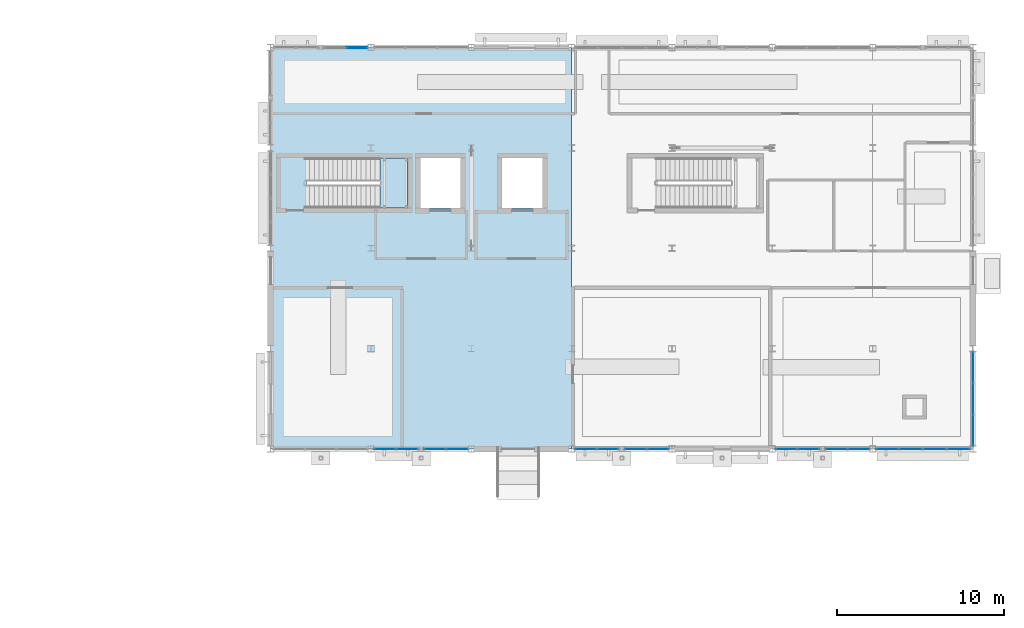
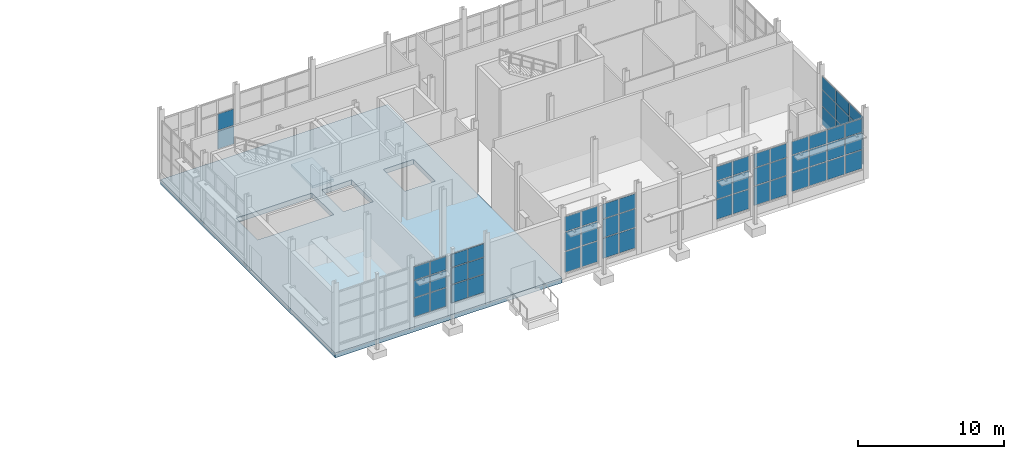
# One storey, part 75 of 120: 59 plates, 2 slabs, 10 elements without a shape of their own.
"""IFC4 building model written with IfcOpenShell, lengths in metres."""

from ifc_helpers import new_model, si_unit, direction, frame, origin, origin_2d, place, context, subcontext, project, spatial, polyline, rectangle, outline, extrude, material, layer, layer_set, type_object, element, aggregate, save


model = new_model("IFC4")

# Units and contexts
model_context = context("Model", 3, precision=1e-05, world=origin(), true_north=direction((0.0, 1.0)))
body_context = subcontext(model_context, "Body", "Model", "MODEL_VIEW")
ifc_project = project(units=[si_unit("LENGTHUNIT", "METRE"), si_unit("AREAUNIT", "SQUARE_METRE"), si_unit("VOLUMEUNIT", "CUBIC_METRE"), si_unit("PLANEANGLEUNIT", "RADIAN"), si_unit("MASSUNIT", "GRAM", prefix="KILO")], contexts=[model_context])

# Site, building, storey
site_placement = place(None, origin())
site = spatial("IfcSite", under=ifc_project, at=site_placement, CompositionType="ELEMENT")
building_placement = place(site_placement, origin())
building = spatial("IfcBuilding", under=site, at=building_placement, Name="Siltcreek Boulevard Central Fire Station", CompositionType="ELEMENT")
storey_placement = place(building_placement, origin())
storey = spatial("IfcBuildingStorey", under=building, at=storey_placement, Name="L01", CompositionType="ELEMENT", Elevation=0.0)

# Curtain wall, plates
ifc_material_1 = material(Name="Anodized aluminum and low-E insulated glazing", Category="aluminium")
curtain_wall_type_1 = type_object("IfcCurtainWallType", Name="CW_SYS_13", PredefinedType="USERDEFINED", material=ifc_material_1)
curtain_wall_1_placement = place(storey_placement, origin())
curtain_wall_1 = element("IfcCurtainWall", 1, at=curtain_wall_1_placement, inside=storey, type_object=curtain_wall_type_1, Name="L01 V5 unitised curtain wall CW-102", ObjectType="CURTAIN WALL", PredefinedType="USERDEFINED")
ifc_material_2 = material(Name="Low-E double insulated glass unit", Category="glass")
ifc_layer_1 = layer(ifc_material_2, 0.028076171875, Name="Low-E double insulated glass unit")
ifc_layer_set_1 = layer_set([ifc_layer_1], Name="Low-E double insulated glass unit")
plate_type_1 = type_object("IfcPlateType", Name="CWP_GLZ_1", PredefinedType="CURTAIN_PANEL", material=ifc_layer_set_1)
plate_1_placement = place(storey_placement, frame((143.0400390625, 88.199951171875, 0.384765625), z_axis=(0.0, 0.0, 1.0), x_axis=(1.0, 0.0, 0.0)))
plate_1 = element("IfcPlate", 2, at=plate_1_placement, type_object=plate_type_1, Name="CW-102 panel 1.1", PredefinedType="CURTAIN_PANEL", context=body_context, shape_type="SweptSolid", body=[
    extrude(rectangle(XDim=1.260009765625, YDim=0.028076171875, at=origin_2d()), origin(), (0.0, 0.0, 1.0), 1.723876953125),
])
plate_2_placement = place(storey_placement, frame((143.0400390625, 88.199951171875, 2.173828125), z_axis=(0.0, 0.0, 1.0), x_axis=(1.0, 0.0, 0.0)))
plate_2 = element("IfcPlate", 3, at=plate_2_placement, type_object=plate_type_1, Name="CW-102 panel 1.2", PredefinedType="CURTAIN_PANEL", context=body_context, shape_type="SweptSolid", body=[
    extrude(rectangle(XDim=1.260009765625, YDim=0.028076171875, at=origin_2d()), origin(), (0.0, 0.0, 1.0), 1.564697265625),
])
plate_3_placement = place(storey_placement, frame((143.0400390625, 88.199951171875, 3.8037109375), z_axis=(0.0, 0.0, 1.0), x_axis=(1.0, 0.0, 0.0)))
plate_3 = element("IfcPlate", 4, at=plate_3_placement, type_object=plate_type_1, Name="CW-102 panel 1.3", PredefinedType="CURTAIN_PANEL", context=body_context, shape_type="SweptSolid", body=[
    extrude(rectangle(XDim=1.260009765625, YDim=0.028076171875, at=origin_2d()), origin(), (0.0, 0.0, 1.0), 1.244384765625),
])
plate_4_placement = place(storey_placement, frame((144.364990234375, 88.199951171875, 0.384765625), z_axis=(0.0, 0.0, 1.0), x_axis=(1.0, 0.0, 0.0)))
plate_4 = element("IfcPlate", 5, at=plate_4_placement, type_object=plate_type_1, Name="CW-102 panel 2.1", PredefinedType="CURTAIN_PANEL", context=body_context, shape_type="SweptSolid", body=[
    extrude(rectangle(XDim=1.260009765625, YDim=0.028076171875, at=origin_2d()), origin(), (0.0, 0.0, 1.0), 1.723876953125),
])
plate_5_placement = place(storey_placement, frame((144.364990234375, 88.199951171875, 2.173828125), z_axis=(0.0, 0.0, 1.0), x_axis=(1.0, 0.0, 0.0)))
plate_5 = element("IfcPlate", 6, at=plate_5_placement, type_object=plate_type_1, Name="CW-102 panel 2.2", PredefinedType="CURTAIN_PANEL", context=body_context, shape_type="SweptSolid", body=[
    extrude(rectangle(XDim=1.260009765625, YDim=0.028076171875, at=origin_2d()), origin(), (0.0, 0.0, 1.0), 1.564697265625),
])
plate_6_placement = place(storey_placement, frame((144.364990234375, 88.199951171875, 3.8037109375), z_axis=(0.0, 0.0, 1.0), x_axis=(1.0, 0.0, 0.0)))
plate_6 = element("IfcPlate", 7, at=plate_6_placement, type_object=plate_type_1, Name="CW-102 panel 2.3", PredefinedType="CURTAIN_PANEL", context=body_context, shape_type="SweptSolid", body=[
    extrude(rectangle(XDim=1.260009765625, YDim=0.028076171875, at=origin_2d()), origin(), (0.0, 0.0, 1.0), 1.244384765625),
])
aggregate(curtain_wall_1, [plate_1, plate_2, plate_3, plate_4, plate_5, plate_6])

curtain_wall_type_2 = type_object("IfcCurtainWallType", Name="CW_SYS_16", PredefinedType="USERDEFINED", material=ifc_material_1)
curtain_wall_2_placement = place(storey_placement, origin())
curtain_wall_2 = element("IfcCurtainWall", 8, at=curtain_wall_2_placement, inside=storey, type_object=curtain_wall_type_2, Name="L01 V5 unitised curtain wall CW-105", ObjectType="CURTAIN WALL", PredefinedType="USERDEFINED")
plate_7_placement = place(storey_placement, frame((158.03369140625, 88.199951171875, 0.740234375), z_axis=(0.0, 0.0, 1.0), x_axis=(1.0, 0.0, 0.0)))
plate_7 = element("IfcPlate", 9, at=plate_7_placement, type_object=plate_type_1, Name="CW-105 panel 1.1", PredefinedType="CURTAIN_PANEL", context=body_context, shape_type="SweptSolid", body=[
    extrude(rectangle(XDim=1.267578125, YDim=0.028076171875, at=origin_2d()), origin(), (0.0, 0.0, 1.0), 1.594482421875),
])
plate_8_placement = place(storey_placement, frame((158.03369140625, 88.199951171875, 2.39453125), z_axis=(0.0, 0.0, 1.0), x_axis=(1.0, 0.0, 0.0)))
plate_8 = element("IfcPlate", 10, at=plate_8_placement, type_object=plate_type_1, Name="CW-105 panel 1.2", PredefinedType="CURTAIN_PANEL", context=body_context, shape_type="SweptSolid", body=[
    extrude(rectangle(XDim=1.267578125, YDim=0.028076171875, at=origin_2d()), origin(), (0.0, 0.0, 1.0), 1.447265625),
])
plate_9_placement = place(storey_placement, frame((158.03369140625, 88.199951171875, 3.90185546875), z_axis=(0.0, 0.0, 1.0), x_axis=(1.0, 0.0, 0.0)))
plate_9 = element("IfcPlate", 11, at=plate_9_placement, type_object=plate_type_1, Name="CW-105 panel 1.3", PredefinedType="CURTAIN_PANEL", context=body_context, shape_type="SweptSolid", body=[
    extrude(rectangle(XDim=1.267578125, YDim=0.028076171875, at=origin_2d()), origin(), (0.0, 0.0, 1.0), 1.151123046875),
])
plate_10_placement = place(storey_placement, frame((159.361328125, 88.199951171875, 0.740234375), z_axis=(0.0, 0.0, 1.0), x_axis=(1.0, 0.0, 0.0)))
plate_10 = element("IfcPlate", 12, at=plate_10_placement, type_object=plate_type_1, Name="CW-105 panel 2.1", PredefinedType="CURTAIN_PANEL", context=body_context, shape_type="SweptSolid", body=[
    extrude(rectangle(XDim=1.267578125, YDim=0.028076171875, at=origin_2d()), origin(), (0.0, 0.0, 1.0), 1.594482421875),
])
plate_11_placement = place(storey_placement, frame((159.361328125, 88.199951171875, 2.39453125), z_axis=(0.0, 0.0, 1.0), x_axis=(1.0, 0.0, 0.0)))
plate_11 = element("IfcPlate", 13, at=plate_11_placement, type_object=plate_type_1, Name="CW-105 panel 2.2", PredefinedType="CURTAIN_PANEL", context=body_context, shape_type="SweptSolid", body=[
    extrude(rectangle(XDim=1.267578125, YDim=0.028076171875, at=origin_2d()), origin(), (0.0, 0.0, 1.0), 1.447265625),
])
plate_12_placement = place(storey_placement, frame((159.361328125, 88.199951171875, 3.90185546875), z_axis=(0.0, 0.0, 1.0), x_axis=(1.0, 0.0, 0.0)))
plate_12 = element("IfcPlate", 14, at=plate_12_placement, type_object=plate_type_1, Name="CW-105 panel 2.3", PredefinedType="CURTAIN_PANEL", context=body_context, shape_type="SweptSolid", body=[
    extrude(rectangle(XDim=1.267578125, YDim=0.028076171875, at=origin_2d()), origin(), (0.0, 0.0, 1.0), 1.151123046875),
])
aggregate(curtain_wall_2, [plate_7, plate_8, plate_9, plate_10, plate_11, plate_12])

curtain_wall_type_3 = type_object("IfcCurtainWallType", Name="CW_SYS_11", PredefinedType="USERDEFINED", material=ifc_material_1)
curtain_wall_3_placement = place(storey_placement, origin())
curtain_wall_3 = element("IfcCurtainWall", 15, at=curtain_wall_3_placement, inside=storey, type_object=curtain_wall_type_3, Name="L01 V5 unitised curtain wall CW-100", ObjectType="CURTAIN WALL", PredefinedType="USERDEFINED")
ifc_layer_2 = layer(ifc_material_2, 0.0380859375, Name="Low-E double insulated glass unit")
ifc_layer_set_2 = layer_set([ifc_layer_2], Name="Low-E double insulated glass unit")
plate_type_2 = type_object("IfcPlateType", Name="CWP_GLZ_2", PredefinedType="CURTAIN_PANEL", material=ifc_layer_set_2)
plate_13_placement = place(storey_placement, frame((131.0400390625, 88.199951171875, 0.864990234375), z_axis=(0.0, 0.0, 1.0), x_axis=(1.0, 0.0, 0.0)))
plate_13 = element("IfcPlate", 16, at=plate_13_placement, type_object=plate_type_2, Name="CW-100 panel 1.1", PredefinedType="CURTAIN_PANEL", context=body_context, shape_type="SweptSolid", body=[
    extrude(rectangle(XDim=1.260009765625, YDim=0.0380859375, at=origin_2d()), origin(), (0.0, 0.0, 1.0), 1.54150390625),
])
plate_14_placement = place(storey_placement, frame((131.0400390625, 88.199951171875, 2.47119140625), z_axis=(0.0, 0.0, 1.0), x_axis=(1.0, 0.0, 0.0)))
plate_14 = element("IfcPlate", 17, at=plate_14_placement, type_object=plate_type_2, Name="CW-100 panel 1.2", PredefinedType="CURTAIN_PANEL", context=body_context, shape_type="SweptSolid", body=[
    extrude(rectangle(XDim=1.260009765625, YDim=0.0380859375, at=origin_2d()), origin(), (0.0, 0.0, 1.0), 1.401611328125),
])
plate_15_placement = place(storey_placement, frame((131.0400390625, 88.199951171875, 3.93798828125), z_axis=(0.0, 0.0, 1.0), x_axis=(1.0, 0.0, 0.0)))
plate_15 = element("IfcPlate", 18, at=plate_15_placement, type_object=plate_type_2, Name="CW-100 panel 1.3", PredefinedType="CURTAIN_PANEL", context=body_context, shape_type="SweptSolid", body=[
    extrude(rectangle(XDim=1.260009765625, YDim=0.0380859375, at=origin_2d()), origin(), (0.0, 0.0, 1.0), 1.110107421875),
])
plate_16_placement = place(storey_placement, frame((132.364990234375, 88.199951171875, 0.864990234375), z_axis=(0.0, 0.0, 1.0), x_axis=(1.0, 0.0, 0.0)))
plate_16 = element("IfcPlate", 19, at=plate_16_placement, type_object=plate_type_2, Name="CW-100 panel 2.1", PredefinedType="CURTAIN_PANEL", context=body_context, shape_type="SweptSolid", body=[
    extrude(rectangle(XDim=1.260009765625, YDim=0.0380859375, at=origin_2d()), origin(), (0.0, 0.0, 1.0), 1.54150390625),
])
plate_17_placement = place(storey_placement, frame((132.364990234375, 88.199951171875, 2.47119140625), z_axis=(0.0, 0.0, 1.0), x_axis=(1.0, 0.0, 0.0)))
plate_17 = element("IfcPlate", 20, at=plate_17_placement, type_object=plate_type_2, Name="CW-100 panel 2.2", PredefinedType="CURTAIN_PANEL", context=body_context, shape_type="SweptSolid", body=[
    extrude(rectangle(XDim=1.260009765625, YDim=0.0380859375, at=origin_2d()), origin(), (0.0, 0.0, 1.0), 1.401611328125),
])
plate_18_placement = place(storey_placement, frame((132.364990234375, 88.199951171875, 3.93798828125), z_axis=(0.0, 0.0, 1.0), x_axis=(1.0, 0.0, 0.0)))
plate_18 = element("IfcPlate", 21, at=plate_18_placement, type_object=plate_type_2, Name="CW-100 panel 2.3", PredefinedType="CURTAIN_PANEL", context=body_context, shape_type="SweptSolid", body=[
    extrude(rectangle(XDim=1.260009765625, YDim=0.0380859375, at=origin_2d()), origin(), (0.0, 0.0, 1.0), 1.110107421875),
])
aggregate(curtain_wall_3, [plate_13, plate_14, plate_15, plate_16, plate_17, plate_18])

curtain_wall_type_4 = type_object("IfcCurtainWallType", Name="CW_SYS_14", PredefinedType="USERDEFINED", material=ifc_material_1)
curtain_wall_4_placement = place(storey_placement, origin())
curtain_wall_4 = element("IfcCurtainWall", 22, at=curtain_wall_4_placement, inside=storey, type_object=curtain_wall_type_4, Name="L01 V5 unitised curtain wall CW-103", ObjectType="CURTAIN WALL", PredefinedType="USERDEFINED")
plate_19_placement = place(storey_placement, frame((146.03369140625, 88.199951171875, 0.5), z_axis=(0.0, 0.0, 1.0), x_axis=(1.0, 0.0, 0.0)))
plate_19 = element("IfcPlate", 23, at=plate_19_placement, type_object=plate_type_2, Name="CW-103 panel 1.1", PredefinedType="CURTAIN_PANEL", context=body_context, shape_type="SweptSolid", body=[
    extrude(rectangle(XDim=1.267578125, YDim=0.0380859375, at=origin_2d()), origin(), (0.0, 0.0, 1.0), 1.685791015625),
])
plate_20_placement = place(storey_placement, frame((146.03369140625, 88.199951171875, 2.245849609375), z_axis=(0.0, 0.0, 1.0), x_axis=(1.0, 0.0, 0.0)))
plate_20 = element("IfcPlate", 24, at=plate_20_placement, type_object=plate_type_2, Name="CW-103 panel 1.2", PredefinedType="CURTAIN_PANEL", context=body_context, shape_type="SweptSolid", body=[
    extrude(rectangle(XDim=1.267578125, YDim=0.0380859375, at=origin_2d()), origin(), (0.0, 0.0, 1.0), 1.52880859375),
])
plate_21_placement = place(storey_placement, frame((146.03369140625, 88.199951171875, 3.83447265625), z_axis=(0.0, 0.0, 1.0), x_axis=(1.0, 0.0, 0.0)))
plate_21 = element("IfcPlate", 25, at=plate_21_placement, type_object=plate_type_2, Name="CW-103 panel 1.3", PredefinedType="CURTAIN_PANEL", context=body_context, shape_type="SweptSolid", body=[
    extrude(rectangle(XDim=1.267578125, YDim=0.0380859375, at=origin_2d()), origin(), (0.0, 0.0, 1.0), 1.218505859375),
])
plate_22_placement = place(storey_placement, frame((147.361328125, 88.199951171875, 0.5), z_axis=(0.0, 0.0, 1.0), x_axis=(1.0, 0.0, 0.0)))
plate_22 = element("IfcPlate", 26, at=plate_22_placement, type_object=plate_type_2, Name="CW-103 panel 2.1", PredefinedType="CURTAIN_PANEL", context=body_context, shape_type="SweptSolid", body=[
    extrude(rectangle(XDim=1.267578125, YDim=0.0380859375, at=origin_2d()), origin(), (0.0, 0.0, 1.0), 1.685791015625),
])
plate_23_placement = place(storey_placement, frame((147.361328125, 88.199951171875, 2.245849609375), z_axis=(0.0, 0.0, 1.0), x_axis=(1.0, 0.0, 0.0)))
plate_23 = element("IfcPlate", 27, at=plate_23_placement, type_object=plate_type_2, Name="CW-103 panel 2.2", PredefinedType="CURTAIN_PANEL", context=body_context, shape_type="SweptSolid", body=[
    extrude(rectangle(XDim=1.267578125, YDim=0.0380859375, at=origin_2d()), origin(), (0.0, 0.0, 1.0), 1.52880859375),
])
plate_24_placement = place(storey_placement, frame((147.361328125, 88.199951171875, 3.83447265625), z_axis=(0.0, 0.0, 1.0), x_axis=(1.0, 0.0, 0.0)))
plate_24 = element("IfcPlate", 28, at=plate_24_placement, type_object=plate_type_2, Name="CW-103 panel 2.3", PredefinedType="CURTAIN_PANEL", context=body_context, shape_type="SweptSolid", body=[
    extrude(rectangle(XDim=1.267578125, YDim=0.0380859375, at=origin_2d()), origin(), (0.0, 0.0, 1.0), 1.218505859375),
])
aggregate(curtain_wall_4, [plate_19, plate_20, plate_21, plate_22, plate_23, plate_24])

curtain_wall_type_5 = type_object("IfcCurtainWallType", Name="CW_SYS_17", PredefinedType="USERDEFINED", material=ifc_material_1)
curtain_wall_5_placement = place(storey_placement, origin())
curtain_wall_5 = element("IfcCurtainWall", 29, at=curtain_wall_5_placement, inside=storey, type_object=curtain_wall_type_5, Name="L01 V5 unitised curtain wall CW-106", ObjectType="CURTAIN WALL", PredefinedType="USERDEFINED")
plate_25_placement = place(storey_placement, frame((161.074951171875, 88.199951171875, 0.864990234375), z_axis=(0.0, 0.0, 1.0), x_axis=(1.0, 0.0, 0.0)))
plate_25 = element("IfcPlate", 30, at=plate_25_placement, type_object=plate_type_2, Name="CW-106 panel 1.1", PredefinedType="CURTAIN_PANEL", context=body_context, shape_type="SweptSolid", body=[
    extrude(rectangle(XDim=1.330078125, YDim=0.0380859375, at=origin_2d()), origin(), (0.0, 0.0, 1.0), 1.54150390625),
])
plate_26_placement = place(storey_placement, frame((161.074951171875, 88.199951171875, 2.47119140625), z_axis=(0.0, 0.0, 1.0), x_axis=(1.0, 0.0, 0.0)))
plate_26 = element("IfcPlate", 31, at=plate_26_placement, type_object=plate_type_2, Name="CW-106 panel 1.2", PredefinedType="CURTAIN_PANEL", context=body_context, shape_type="SweptSolid", body=[
    extrude(rectangle(XDim=1.330078125, YDim=0.0380859375, at=origin_2d()), origin(), (0.0, 0.0, 1.0), 1.401611328125),
])
plate_27_placement = place(storey_placement, frame((161.074951171875, 88.199951171875, 3.93798828125), z_axis=(0.0, 0.0, 1.0), x_axis=(1.0, 0.0, 0.0)))
plate_27 = element("IfcPlate", 32, at=plate_27_placement, type_object=plate_type_2, Name="CW-106 panel 1.3", PredefinedType="CURTAIN_PANEL", context=body_context, shape_type="SweptSolid", body=[
    extrude(rectangle(XDim=1.330078125, YDim=0.0380859375, at=origin_2d()), origin(), (0.0, 0.0, 1.0), 1.110107421875),
])
plate_28_placement = place(storey_placement, frame((162.486328125, 88.199951171875, 0.864990234375), z_axis=(0.0, 0.0, 1.0), x_axis=(1.0, 0.0, 0.0)))
plate_28 = element("IfcPlate", 33, at=plate_28_placement, type_object=plate_type_2, Name="CW-106 panel 2.1", PredefinedType="CURTAIN_PANEL", context=body_context, shape_type="SweptSolid", body=[
    extrude(rectangle(XDim=1.362548828125, YDim=0.0380859375, at=origin_2d()), origin(), (0.0, 0.0, 1.0), 1.54150390625),
])
plate_29_placement = place(storey_placement, frame((162.486328125, 88.199951171875, 2.47119140625), z_axis=(0.0, 0.0, 1.0), x_axis=(1.0, 0.0, 0.0)))
plate_29 = element("IfcPlate", 34, at=plate_29_placement, type_object=plate_type_2, Name="CW-106 panel 2.2", PredefinedType="CURTAIN_PANEL", context=body_context, shape_type="SweptSolid", body=[
    extrude(rectangle(XDim=1.362548828125, YDim=0.0380859375, at=origin_2d()), origin(), (0.0, 0.0, 1.0), 1.401611328125),
])
plate_30_placement = place(storey_placement, frame((162.486328125, 88.199951171875, 3.93798828125), z_axis=(0.0, 0.0, 1.0), x_axis=(1.0, 0.0, 0.0)))
plate_30 = element("IfcPlate", 35, at=plate_30_placement, type_object=plate_type_2, Name="CW-106 panel 2.3", PredefinedType="CURTAIN_PANEL", context=body_context, shape_type="SweptSolid", body=[
    extrude(rectangle(XDim=1.362548828125, YDim=0.0380859375, at=origin_2d()), origin(), (0.0, 0.0, 1.0), 1.110107421875),
])
plate_31_placement = place(storey_placement, frame((163.913818359375, 88.199951171875, 0.864990234375), z_axis=(0.0, 0.0, 1.0), x_axis=(1.0, 0.0, 0.0)))
plate_31 = element("IfcPlate", 36, at=plate_31_placement, type_object=plate_type_2, Name="CW-106 panel 3.1", PredefinedType="CURTAIN_PANEL", context=body_context, shape_type="SweptSolid", body=[
    extrude(rectangle(XDim=1.362548828125, YDim=0.0380859375, at=origin_2d()), origin(), (0.0, 0.0, 1.0), 1.54150390625),
])
plate_32_placement = place(storey_placement, frame((163.913818359375, 88.199951171875, 2.47119140625), z_axis=(0.0, 0.0, 1.0), x_axis=(1.0, 0.0, 0.0)))
plate_32 = element("IfcPlate", 37, at=plate_32_placement, type_object=plate_type_2, Name="CW-106 panel 3.2", PredefinedType="CURTAIN_PANEL", context=body_context, shape_type="SweptSolid", body=[
    extrude(rectangle(XDim=1.362548828125, YDim=0.0380859375, at=origin_2d()), origin(), (0.0, 0.0, 1.0), 1.401611328125),
])
plate_33_placement = place(storey_placement, frame((163.913818359375, 88.199951171875, 3.93798828125), z_axis=(0.0, 0.0, 1.0), x_axis=(1.0, 0.0, 0.0)))
plate_33 = element("IfcPlate", 38, at=plate_33_placement, type_object=plate_type_2, Name="CW-106 panel 3.3", PredefinedType="CURTAIN_PANEL", context=body_context, shape_type="SweptSolid", body=[
    extrude(rectangle(XDim=1.362548828125, YDim=0.0380859375, at=origin_2d()), origin(), (0.0, 0.0, 1.0), 1.110107421875),
])
plate_34_placement = place(storey_placement, frame((165.324951171875, 88.199951171875, 0.864990234375), z_axis=(0.0, 0.0, 1.0), x_axis=(1.0, 0.0, 0.0)))
plate_34 = element("IfcPlate", 39, at=plate_34_placement, type_object=plate_type_2, Name="CW-106 panel 4.1", PredefinedType="CURTAIN_PANEL", context=body_context, shape_type="SweptSolid", body=[
    extrude(rectangle(XDim=1.330078125, YDim=0.0380859375, at=origin_2d()), origin(), (0.0, 0.0, 1.0), 1.54150390625),
])
plate_35_placement = place(storey_placement, frame((165.324951171875, 88.199951171875, 2.47119140625), z_axis=(0.0, 0.0, 1.0), x_axis=(1.0, 0.0, 0.0)))
plate_35 = element("IfcPlate", 40, at=plate_35_placement, type_object=plate_type_2, Name="CW-106 panel 4.2", PredefinedType="CURTAIN_PANEL", context=body_context, shape_type="SweptSolid", body=[
    extrude(rectangle(XDim=1.330078125, YDim=0.0380859375, at=origin_2d()), origin(), (0.0, 0.0, 1.0), 1.401611328125),
])
plate_36_placement = place(storey_placement, frame((165.324951171875, 88.199951171875, 3.93798828125), z_axis=(0.0, 0.0, 1.0), x_axis=(1.0, 0.0, 0.0)))
plate_36 = element("IfcPlate", 41, at=plate_36_placement, type_object=plate_type_2, Name="CW-106 panel 4.3", PredefinedType="CURTAIN_PANEL", context=body_context, shape_type="SweptSolid", body=[
    extrude(rectangle(XDim=1.330078125, YDim=0.0380859375, at=origin_2d()), origin(), (0.0, 0.0, 1.0), 1.110107421875),
])
aggregate(curtain_wall_5, [plate_25, plate_26, plate_27, plate_28, plate_29, plate_30, plate_31, plate_32, plate_33, plate_34, plate_35, plate_36])

curtain_wall_type_6 = type_object("IfcCurtainWallType", Name="CW_SYS_12", PredefinedType="USERDEFINED", material=ifc_material_1)
curtain_wall_6_placement = place(storey_placement, origin())
curtain_wall_6 = element("IfcCurtainWall", 42, at=curtain_wall_6_placement, inside=storey, type_object=curtain_wall_type_6, Name="L01 V5 unitised curtain wall CW-101", ObjectType="CURTAIN WALL", PredefinedType="USERDEFINED")
ifc_layer_3 = layer(ifc_material_2, 0.048095703125, Name="Low-E double insulated glass unit")
ifc_layer_set_3 = layer_set([ifc_layer_3], Name="Low-E double insulated glass unit")
plate_type_3 = type_object("IfcPlateType", Name="CWP_GLZ_3", PredefinedType="CURTAIN_PANEL", material=ifc_layer_set_3)
plate_37_placement = place(storey_placement, frame((134.03369140625, 88.199951171875, 0.97998046875), z_axis=(0.0, 0.0, 1.0), x_axis=(1.0, 0.0, 0.0)))
plate_37 = element("IfcPlate", 43, at=plate_37_placement, type_object=plate_type_3, Name="CW-101 panel 1.1", PredefinedType="CURTAIN_PANEL", context=body_context, shape_type="SweptSolid", body=[
    extrude(rectangle(XDim=1.267578125, YDim=0.048095703125, at=origin_2d()), origin(), (0.0, 0.0, 1.0), 1.50341796875),
])
plate_38_placement = place(storey_placement, frame((134.03369140625, 88.199951171875, 2.543212890625), z_axis=(0.0, 0.0, 1.0), x_axis=(1.0, 0.0, 0.0)))
plate_38 = element("IfcPlate", 44, at=plate_38_placement, type_object=plate_type_3, Name="CW-101 panel 1.2", PredefinedType="CURTAIN_PANEL", context=body_context, shape_type="SweptSolid", body=[
    extrude(rectangle(XDim=1.267578125, YDim=0.048095703125, at=origin_2d()), origin(), (0.0, 0.0, 1.0), 1.36572265625),
])
plate_39_placement = place(storey_placement, frame((134.03369140625, 88.199951171875, 3.968994140625), z_axis=(0.0, 0.0, 1.0), x_axis=(1.0, 0.0, 0.0)))
plate_39 = element("IfcPlate", 45, at=plate_39_placement, type_object=plate_type_3, Name="CW-101 panel 1.3", PredefinedType="CURTAIN_PANEL", context=body_context, shape_type="SweptSolid", body=[
    extrude(rectangle(XDim=1.267578125, YDim=0.048095703125, at=origin_2d()), origin(), (0.0, 0.0, 1.0), 1.083984375),
])
plate_40_placement = place(storey_placement, frame((135.361328125, 88.199951171875, 0.97998046875), z_axis=(0.0, 0.0, 1.0), x_axis=(1.0, 0.0, 0.0)))
plate_40 = element("IfcPlate", 46, at=plate_40_placement, type_object=plate_type_3, Name="CW-101 panel 2.1", PredefinedType="CURTAIN_PANEL", context=body_context, shape_type="SweptSolid", body=[
    extrude(rectangle(XDim=1.267578125, YDim=0.048095703125, at=origin_2d()), origin(), (0.0, 0.0, 1.0), 1.50341796875),
])
plate_41_placement = place(storey_placement, frame((135.361328125, 88.199951171875, 2.543212890625), z_axis=(0.0, 0.0, 1.0), x_axis=(1.0, 0.0, 0.0)))
plate_41 = element("IfcPlate", 47, at=plate_41_placement, type_object=plate_type_3, Name="CW-101 panel 2.2", PredefinedType="CURTAIN_PANEL", context=body_context, shape_type="SweptSolid", body=[
    extrude(rectangle(XDim=1.267578125, YDim=0.048095703125, at=origin_2d()), origin(), (0.0, 0.0, 1.0), 1.36572265625),
])
plate_42_placement = place(storey_placement, frame((135.361328125, 88.199951171875, 3.968994140625), z_axis=(0.0, 0.0, 1.0), x_axis=(1.0, 0.0, 0.0)))
plate_42 = element("IfcPlate", 48, at=plate_42_placement, type_object=plate_type_3, Name="CW-101 panel 2.3", PredefinedType="CURTAIN_PANEL", context=body_context, shape_type="SweptSolid", body=[
    extrude(rectangle(XDim=1.267578125, YDim=0.048095703125, at=origin_2d()), origin(), (0.0, 0.0, 1.0), 1.083984375),
])
aggregate(curtain_wall_6, [plate_37, plate_38, plate_39, plate_40, plate_41, plate_42])

curtain_wall_type_7 = type_object("IfcCurtainWallType", Name="CW_SYS_15", PredefinedType="USERDEFINED", material=ifc_material_1)
curtain_wall_7_placement = place(storey_placement, origin())
curtain_wall_7 = element("IfcCurtainWall", 49, at=curtain_wall_7_placement, inside=storey, type_object=curtain_wall_type_7, Name="L01 V5 unitised curtain wall CW-104", ObjectType="CURTAIN WALL", PredefinedType="USERDEFINED")
plate_43_placement = place(storey_placement, frame((155.0400390625, 88.199951171875, 0.625), z_axis=(0.0, 0.0, 1.0), x_axis=(1.0, 0.0, 0.0)))
plate_43 = element("IfcPlate", 50, at=plate_43_placement, type_object=plate_type_3, Name="CW-104 panel 1.1", PredefinedType="CURTAIN_PANEL", context=body_context, shape_type="SweptSolid", body=[
    extrude(rectangle(XDim=1.260009765625, YDim=0.048095703125, at=origin_2d()), origin(), (0.0, 0.0, 1.0), 1.632568359375),
])
plate_44_placement = place(storey_placement, frame((155.0400390625, 88.199951171875, 2.32275390625), z_axis=(0.0, 0.0, 1.0), x_axis=(1.0, 0.0, 0.0)))
plate_44 = element("IfcPlate", 51, at=plate_44_placement, type_object=plate_type_3, Name="CW-104 panel 1.2", PredefinedType="CURTAIN_PANEL", context=body_context, shape_type="SweptSolid", body=[
    extrude(rectangle(XDim=1.260009765625, YDim=0.048095703125, at=origin_2d()), origin(), (0.0, 0.0, 1.0), 1.483154296875),
])
plate_45_placement = place(storey_placement, frame((155.0400390625, 88.199951171875, 3.87060546875), z_axis=(0.0, 0.0, 1.0), x_axis=(1.0, 0.0, 0.0)))
plate_45 = element("IfcPlate", 52, at=plate_45_placement, type_object=plate_type_3, Name="CW-104 panel 1.3", PredefinedType="CURTAIN_PANEL", context=body_context, shape_type="SweptSolid", body=[
    extrude(rectangle(XDim=1.260009765625, YDim=0.048095703125, at=origin_2d()), origin(), (0.0, 0.0, 1.0), 1.17724609375),
])
plate_46_placement = place(storey_placement, frame((156.364990234375, 88.199951171875, 0.625), z_axis=(0.0, 0.0, 1.0), x_axis=(1.0, 0.0, 0.0)))
plate_46 = element("IfcPlate", 53, at=plate_46_placement, type_object=plate_type_3, Name="CW-104 panel 2.1", PredefinedType="CURTAIN_PANEL", context=body_context, shape_type="SweptSolid", body=[
    extrude(rectangle(XDim=1.260009765625, YDim=0.048095703125, at=origin_2d()), origin(), (0.0, 0.0, 1.0), 1.632568359375),
])
plate_47_placement = place(storey_placement, frame((156.364990234375, 88.199951171875, 2.32275390625), z_axis=(0.0, 0.0, 1.0), x_axis=(1.0, 0.0, 0.0)))
plate_47 = element("IfcPlate", 54, at=plate_47_placement, type_object=plate_type_3, Name="CW-104 panel 2.2", PredefinedType="CURTAIN_PANEL", context=body_context, shape_type="SweptSolid", body=[
    extrude(rectangle(XDim=1.260009765625, YDim=0.048095703125, at=origin_2d()), origin(), (0.0, 0.0, 1.0), 1.483154296875),
])
plate_48_placement = place(storey_placement, frame((156.364990234375, 88.199951171875, 3.87060546875), z_axis=(0.0, 0.0, 1.0), x_axis=(1.0, 0.0, 0.0)))
plate_48 = element("IfcPlate", 55, at=plate_48_placement, type_object=plate_type_3, Name="CW-104 panel 2.3", PredefinedType="CURTAIN_PANEL", context=body_context, shape_type="SweptSolid", body=[
    extrude(rectangle(XDim=1.260009765625, YDim=0.048095703125, at=origin_2d()), origin(), (0.0, 0.0, 1.0), 1.17724609375),
])
aggregate(curtain_wall_7, [plate_43, plate_44, plate_45, plate_46, plate_47, plate_48])

curtain_wall_type_8 = type_object("IfcCurtainWallType", Name="CW_SYS_18", PredefinedType="USERDEFINED", material=ifc_material_1)
curtain_wall_8_placement = place(storey_placement, origin())
curtain_wall_8 = element("IfcCurtainWall", 56, at=curtain_wall_8_placement, inside=storey, type_object=curtain_wall_type_8, Name="L01 V5 unitised curtain wall CW-107", ObjectType="CURTAIN WALL", PredefinedType="USERDEFINED")
plate_49_placement = place(storey_placement, frame((129.361328125, 112.199951171875, 0.97998046875), z_axis=(0.0, 0.0, 1.0), x_axis=(-1.0, 0.0, 0.0)))
plate_49 = element("IfcPlate", 57, at=plate_49_placement, type_object=plate_type_3, Name="CW-107 panel 1.1", PredefinedType="CURTAIN_PANEL", context=body_context, shape_type="SweptSolid", body=[
    extrude(rectangle(XDim=1.267578125, YDim=0.048095703125, at=origin_2d()), origin(), (0.0, 0.0, 1.0), 1.50341796875),
])
plate_50_placement = place(storey_placement, frame((129.361328125, 112.199951171875, 2.543212890625), z_axis=(0.0, 0.0, 1.0), x_axis=(-1.0, 0.0, 0.0)))
plate_50 = element("IfcPlate", 58, at=plate_50_placement, type_object=plate_type_3, Name="CW-107 panel 1.2", PredefinedType="CURTAIN_PANEL", context=body_context, shape_type="SweptSolid", body=[
    extrude(rectangle(XDim=1.267578125, YDim=0.048095703125, at=origin_2d()), origin(), (0.0, 0.0, 1.0), 1.36572265625),
])
aggregate(curtain_wall_8, [plate_49, plate_50])

curtain_wall_type_9 = type_object("IfcCurtainWallType", Name="CW_SYS_30", PredefinedType="USERDEFINED", material=ifc_material_1)
curtain_wall_9_placement = place(storey_placement, origin())
curtain_wall_9 = element("IfcCurtainWall", 59, at=curtain_wall_9_placement, inside=storey, type_object=curtain_wall_type_9, Name="L01 V5 unitised curtain wall CW-119", ObjectType="CURTAIN WALL", PredefinedType="USERDEFINED")
plate_51_placement = place(storey_placement, frame((166.199951171875, 89.311767578125, 0.97998046875), z_axis=(0.0, 0.0, 1.0), x_axis=(0.0, 1.0, 0.0)))
plate_51 = element("IfcPlate", 60, at=plate_51_placement, type_object=plate_type_3, Name="CW-119 panel 1.1", PredefinedType="CURTAIN_PANEL", context=body_context, shape_type="SweptSolid", body=[
    extrude(rectangle(XDim=1.813232421875, YDim=0.048095703125, at=origin_2d()), origin(), (0.0, 0.0, 1.0), 1.47705078125),
])
plate_52_placement = place(storey_placement, frame((166.199951171875, 89.311767578125, 2.51708984375), z_axis=(0.0, 0.0, 1.0), x_axis=(0.0, 1.0, 0.0)))
plate_52 = element("IfcPlate", 61, at=plate_52_placement, type_object=plate_type_3, Name="CW-119 panel 1.2", PredefinedType="CURTAIN_PANEL", context=body_context, shape_type="SweptSolid", body=[
    extrude(rectangle(XDim=1.813232421875, YDim=0.048095703125, at=origin_2d()), origin(), (0.0, 0.0, 1.0), 1.34228515625),
])
plate_53_placement = place(storey_placement, frame((166.199951171875, 89.311767578125, 3.91943359375), z_axis=(0.0, 0.0, 1.0), x_axis=(0.0, 1.0, 0.0)))
plate_53 = element("IfcPlate", 62, at=plate_53_placement, type_object=plate_type_3, Name="CW-119 panel 1.3", PredefinedType="CURTAIN_PANEL", context=body_context, shape_type="SweptSolid", body=[
    extrude(rectangle(XDim=1.813232421875, YDim=0.048095703125, at=origin_2d()), origin(), (0.0, 0.0, 1.0), 1.064697265625),
])
plate_54_placement = place(storey_placement, frame((166.199951171875, 91.199951171875, 0.97998046875), z_axis=(0.0, 0.0, 1.0), x_axis=(0.0, 1.0, 0.0)))
plate_54 = element("IfcPlate", 63, at=plate_54_placement, type_object=plate_type_3, Name="CW-119 panel 2.1", PredefinedType="CURTAIN_PANEL", context=body_context, shape_type="SweptSolid", body=[
    extrude(rectangle(XDim=1.84326171875, YDim=0.048095703125, at=origin_2d()), origin(), (0.0, 0.0, 1.0), 1.47705078125),
])
plate_55_placement = place(storey_placement, frame((166.199951171875, 91.199951171875, 2.51708984375), z_axis=(0.0, 0.0, 1.0), x_axis=(0.0, 1.0, 0.0)))
plate_55 = element("IfcPlate", 64, at=plate_55_placement, type_object=plate_type_3, Name="CW-119 panel 2.2", PredefinedType="CURTAIN_PANEL", context=body_context, shape_type="SweptSolid", body=[
    extrude(rectangle(XDim=1.84326171875, YDim=0.048095703125, at=origin_2d()), origin(), (0.0, 0.0, 1.0), 1.34228515625),
])
plate_56_placement = place(storey_placement, frame((166.199951171875, 91.199951171875, 3.91943359375), z_axis=(0.0, 0.0, 1.0), x_axis=(0.0, 1.0, 0.0)))
plate_56 = element("IfcPlate", 65, at=plate_56_placement, type_object=plate_type_3, Name="CW-119 panel 2.3", PredefinedType="CURTAIN_PANEL", context=body_context, shape_type="SweptSolid", body=[
    extrude(rectangle(XDim=1.84326171875, YDim=0.048095703125, at=origin_2d()), origin(), (0.0, 0.0, 1.0), 1.064697265625),
])
plate_57_placement = place(storey_placement, frame((166.199951171875, 93.08837890625, 0.97998046875), z_axis=(0.0, 0.0, 1.0), x_axis=(0.0, 1.0, 0.0)))
plate_57 = element("IfcPlate", 66, at=plate_57_placement, type_object=plate_type_3, Name="CW-119 panel 3.1", PredefinedType="CURTAIN_PANEL", context=body_context, shape_type="SweptSolid", body=[
    extrude(rectangle(XDim=1.813232421875, YDim=0.048095703125, at=origin_2d()), origin(), (0.0, 0.0, 1.0), 1.47705078125),
])
plate_58_placement = place(storey_placement, frame((166.199951171875, 93.08837890625, 2.51708984375), z_axis=(0.0, 0.0, 1.0), x_axis=(0.0, 1.0, 0.0)))
plate_58 = element("IfcPlate", 67, at=plate_58_placement, type_object=plate_type_3, Name="CW-119 panel 3.2", PredefinedType="CURTAIN_PANEL", context=body_context, shape_type="SweptSolid", body=[
    extrude(rectangle(XDim=1.813232421875, YDim=0.048095703125, at=origin_2d()), origin(), (0.0, 0.0, 1.0), 1.34228515625),
])
plate_59_placement = place(storey_placement, frame((166.199951171875, 93.08837890625, 3.91943359375), z_axis=(0.0, 0.0, 1.0), x_axis=(0.0, 1.0, 0.0)))
plate_59 = element("IfcPlate", 68, at=plate_59_placement, type_object=plate_type_3, Name="CW-119 panel 3.3", PredefinedType="CURTAIN_PANEL", context=body_context, shape_type="SweptSolid", body=[
    extrude(rectangle(XDim=1.813232421875, YDim=0.048095703125, at=origin_2d()), origin(), (0.0, 0.0, 1.0), 1.064697265625),
])
aggregate(curtain_wall_9, [plate_51, plate_52, plate_53, plate_54, plate_55, plate_56, plate_57, plate_58, plate_59])

# Slab
ifc_material_3 = material(Name="Concrete C35/45", Category="concrete")
ifc_layer_4 = layer(ifc_material_3, 0.409912109375, Name="Concrete C35/45")
ifc_layer_set_4 = layer_set([ifc_layer_4], Name="Concrete C35/45")
slab_type_1 = type_object("IfcSlabType", Name="SL_BASE350", PredefinedType="BASESLAB", material=ifc_layer_set_4)
slab_1_placement = place(storey_placement, frame((0.0, 0.0, -0.409912109375)))
element("IfcSlab", 69, at=slab_1_placement, inside=storey, type_object=slab_type_1, Name="L01 V5 structural floor slab SL-012", PredefinedType="BASESLAB", context=body_context, shape_type="SweptSolid", body=[
    extrude(outline(polyline([(124.199951171875, 112.199951171875), (142.199951171875, 112.199951171875), (142.199951171875, 88.199951171875), (124.199951171875, 88.199951171875), (124.199951171875, 112.199951171875)]), holes=[polyline([(126.360107421875, 105.60009765625), (126.360107421875, 102.60009765625), (132.39990234375, 102.60009765625), (132.39990234375, 105.60009765625), (126.360107421875, 105.60009765625)]), polyline([(133.14990234375, 105.60009765625), (133.14990234375, 102.60009765625), (135.550048828125, 102.60009765625), (135.550048828125, 105.60009765625), (133.14990234375, 105.60009765625)]), polyline([(138.050048828125, 105.60009765625), (138.050048828125, 102.60009765625), (140.449951171875, 102.60009765625), (140.449951171875, 105.60009765625), (138.050048828125, 105.60009765625)])]), origin(), (0.0, 0.0, 1.0), 0.409912109375),
])

# Stair, slab
ifc_material_4 = material(Name="Precast concrete C40/50", Category="concrete")
stair_type = type_object("IfcStairType", Name="ST_DOG_H60", PredefinedType="HALF_TURN_STAIR", material=ifc_material_4)
stair_placement = place(storey_placement, origin())
stair = element("IfcStair", 70, at=stair_placement, inside=storey, type_object=stair_type, Name="L01 Enclosed exit stairway ST-V5A", PredefinedType="HALF_TURN_STAIR")
ifc_layer_5 = layer(ifc_material_4, 0.199951171875, Name="Precast concrete C40/50")
ifc_layer_set_5 = layer_set([ifc_layer_5], Name="Precast concrete C40/50")
slab_type_2 = type_object("IfcSlabType", Name="SL_LAND200", PredefinedType="LANDING", material=ifc_layer_set_5)
slab_2_placement = place(storey_placement, frame((0.0, 0.0, 2.800048828125)))
slab_2 = element("IfcSlab", 71, at=slab_2_placement, type_object=slab_type_2, Name="ST-V5A landing 1", PredefinedType="LANDING", context=body_context, shape_type="SweptSolid", body=[
    extrude(outline(polyline([(130.72998046875, 102.60009765625), (132.39990234375, 102.60009765625), (132.39990234375, 105.60009765625), (130.72998046875, 105.60009765625), (130.72998046875, 102.60009765625)])), origin(), (0.0, 0.0, 1.0), 0.199951171875),
])
aggregate(stair, [slab_2])

save(model, "model.ifc")
